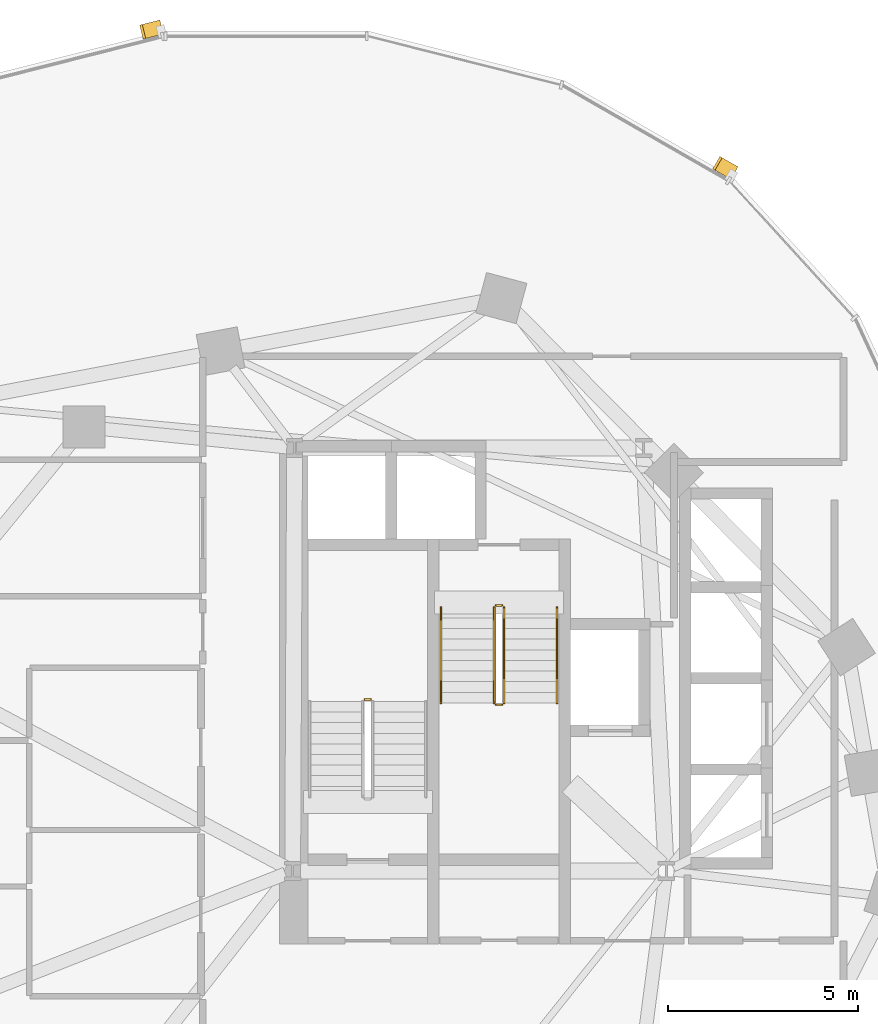
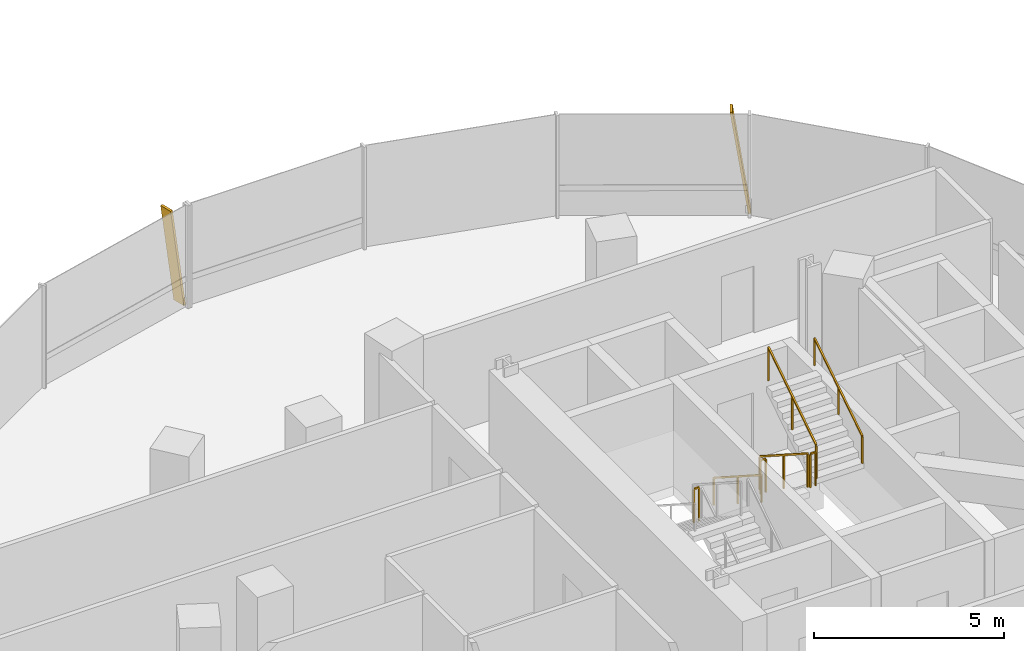
# One storey, part 19 of 21: 7 railings, 2 shading devices.
"""IFC4 building model written with IfcOpenShell, lengths in metres."""

from ifc_helpers import new_model, si_unit, direction, frame, origin, origin_2d, place, context, subcontext, project, spatial, rectangle, extrude, material, material_profile, profile_set, type_object, element, save


model = new_model("IFC4")

# Units and contexts
model_context = context("Model", 3, precision=1e-05, world=origin(), true_north=direction((0.0, 1.0)))
body_context = subcontext(model_context, "Body", "Model", "MODEL_VIEW")
ifc_project = project(units=[si_unit("LENGTHUNIT", "METRE"), si_unit("AREAUNIT", "SQUARE_METRE"), si_unit("VOLUMEUNIT", "CUBIC_METRE"), si_unit("PLANEANGLEUNIT", "RADIAN"), si_unit("MASSUNIT", "GRAM", prefix="KILO"), si_unit("THERMODYNAMICTEMPERATUREUNIT", "KELVIN"), si_unit("POWERUNIT", "WATT")], contexts=[model_context])

# Site, building, storey
site_placement = place(None, origin())
site = spatial("IfcSite", under=ifc_project, at=site_placement, CompositionType="ELEMENT")
building_placement = place(site_placement, origin())
building = spatial("IfcBuilding", under=site, at=building_placement, Name="Cundina Bronze Exchange", CompositionType="ELEMENT")
storey_placement = place(building_placement, frame((0.0, 0.0, 89.0)))
storey = spatial("IfcBuildingStorey", under=building, at=storey_placement, Name="L22", CompositionType="ELEMENT", Elevation=89.0)

# Railings
ifc_material_1 = material(Name="Steel ASTM A36 Painted", Category="steel")
railing_type_1 = type_object("IfcRailingType", Name="RLG-HND-900", PredefinedType="HANDRAIL", material=ifc_material_1)
railing_1_placement = place(storey_placement, frame((-27.389892578125, 10.85009765625, 0.179931640625)))
element("IfcRailing", 1, at=railing_1_placement, inside=storey, type_object=railing_type_1, Name="L22 ST-W2 stair handrail 1", PredefinedType="HANDRAIL", context=body_context, shape_type="SweptSolid", body=[
    extrude(rectangle(XDim=0.048095703125, YDim=0.048095703125, at=origin_2d()), frame((0.0, 0.0, 0.8759765625), z_axis=(0.0, -0.841162588446, 0.540782303519), x_axis=(1.0, 0.0, 0.0)), (0.0, 0.0, 1.0), 2.995849609375),
    extrude(rectangle(XDim=0.0419921875, YDim=0.0419921875, at=origin_2d()), origin(), (0.0, 0.0, 1.0), 0.851806640625),
    extrude(rectangle(XDim=0.0419921875, YDim=0.0419921875, at=origin_2d()), frame((0.0, -1.260009765625, 0.81005859375)), (0.0, 0.0, 1.0), 0.851806640625),
    extrude(rectangle(XDim=0.0419921875, YDim=0.0419921875, at=origin_2d()), frame((0.0, -2.52001953125, 1.6201171875)), (0.0, 0.0, 1.0), 0.851806640625),
])
railing_2_placement = place(storey_placement, frame((-24.330078125, 8.330078125, 1.97998046875)))
element("IfcRailing", 2, at=railing_2_placement, inside=storey, type_object=railing_type_1, Name="L22 ST-W2 stair handrail 2", PredefinedType="HANDRAIL", context=body_context, shape_type="SweptSolid", body=[
    extrude(rectangle(XDim=0.048095703125, YDim=0.048095703125, at=origin_2d()), frame((0.0, 0.0, 0.8759765625), z_axis=(0.0, 0.841162588446, 0.540782303519), x_axis=(-1.0, 0.0, 0.0)), (0.0, 0.0, 1.0), 2.995849609375),
    extrude(rectangle(XDim=0.0419921875, YDim=0.0419921875, at=origin_2d()), origin(), (0.0, 0.0, 1.0), 0.851806640625),
    extrude(rectangle(XDim=0.0419921875, YDim=0.0419921875, at=origin_2d()), frame((0.0, 1.260009765625, 0.81005859375)), (0.0, 0.0, 1.0), 0.851806640625),
    extrude(rectangle(XDim=0.0419921875, YDim=0.0419921875, at=origin_2d()), frame((0.0, 2.52001953125, 1.6201171875)), (0.0, 0.0, 1.0), 0.851806640625),
])
railing_type_2 = type_object("IfcRailingType", Name="RLG-STG-1100", PredefinedType="GUARDRAIL", material=ifc_material_1)
railing_3_placement = place(storey_placement, frame((-29.239990234375, 8.419921875, 1.800048828125)))
element("IfcRailing", 3, at=railing_3_placement, inside=storey, type_object=railing_type_2, Name="L22 ST-W1 stair guard 2", PredefinedType="GUARDRAIL", context=body_context, shape_type="SweptSolid", body=[
    extrude(rectangle(XDim=0.048095703125, YDim=0.048095703125, at=origin_2d()), frame((0.0, 0.0, 1.076171875), z_axis=(-1.0, 0.0, 0.0), x_axis=(0.0, -1.0, 0.0)), (0.0, 0.0, 1.0), 0.159912109375),
    extrude(rectangle(XDim=0.0419921875, YDim=0.0419921875, at=origin_2d()), origin(), (0.0, 0.0, 1.0), 1.052001953125),
    extrude(rectangle(XDim=0.0419921875, YDim=0.0419921875, at=origin_2d()), frame((-0.159912109375, 0.0, 0.0)), (0.0, 0.0, 1.0), 1.052001953125),
])
railing_4_placement = place(storey_placement, frame((-25.989990234375, 10.85009765625, 0.179931640625)))
element("IfcRailing", 4, at=railing_4_placement, inside=storey, type_object=railing_type_2, Name="L22 ST-W2 stair guard 1", PredefinedType="GUARDRAIL", context=body_context, shape_type="SweptSolid", body=[
    extrude(rectangle(XDim=0.048095703125, YDim=0.048095703125, at=origin_2d()), frame((0.0, 0.0, 1.076171875), z_axis=(0.0, -0.841162588446, 0.540782303519), x_axis=(1.0, 0.0, 0.0)), (0.0, 0.0, 1.0), 2.995849609375),
    extrude(rectangle(XDim=0.0419921875, YDim=0.0419921875, at=origin_2d()), origin(), (0.0, 0.0, 1.0), 1.052001953125),
    extrude(rectangle(XDim=0.0419921875, YDim=0.0419921875, at=origin_2d()), frame((0.0, -1.260009765625, 0.81005859375)), (0.0, 0.0, 1.0), 1.052001953125),
    extrude(rectangle(XDim=0.0419921875, YDim=0.0419921875, at=origin_2d()), frame((0.0, -2.52001953125, 1.6201171875)), (0.0, 0.0, 1.0), 1.052001953125),
])
railing_5_placement = place(storey_placement, frame((-25.93994140625, 8.280029296875, 1.800048828125)))
element("IfcRailing", 5, at=railing_5_placement, inside=storey, type_object=railing_type_2, Name="L22 ST-W2 stair guard 2", PredefinedType="GUARDRAIL", context=body_context, shape_type="SweptSolid", body=[
    extrude(rectangle(XDim=0.048095703125, YDim=0.048095703125, at=origin_2d()), frame((0.0, 0.0, 1.076171875), z_axis=(1.0, 0.0, 0.0), x_axis=(0.0, 1.0, 0.0)), (0.0, 0.0, 1.0), 0.159912109375),
    extrude(rectangle(XDim=0.0419921875, YDim=0.0419921875, at=origin_2d()), origin(), (0.0, 0.0, 1.0), 1.052001953125),
    extrude(rectangle(XDim=0.0419921875, YDim=0.0419921875, at=origin_2d()), frame((0.159912109375, 0.0, 0.0)), (0.0, 0.0, 1.0), 1.052001953125),
])
railing_6_placement = place(storey_placement, frame((-25.72998046875, 8.330078125, 1.97998046875)))
element("IfcRailing", 6, at=railing_6_placement, inside=storey, type_object=railing_type_2, Name="L22 ST-W2 stair guard 3", PredefinedType="GUARDRAIL", context=body_context, shape_type="SweptSolid", body=[
    extrude(rectangle(XDim=0.048095703125, YDim=0.048095703125, at=origin_2d()), frame((0.0, 0.0, 1.076171875), z_axis=(0.0, 0.841162588446, 0.540782303519), x_axis=(-1.0, 0.0, 0.0)), (0.0, 0.0, 1.0), 2.995849609375),
    extrude(rectangle(XDim=0.0419921875, YDim=0.0419921875, at=origin_2d()), origin(), (0.0, 0.0, 1.0), 1.052001953125),
    extrude(rectangle(XDim=0.0419921875, YDim=0.0419921875, at=origin_2d()), frame((0.0, 1.260009765625, 0.81005859375)), (0.0, 0.0, 1.0), 1.052001953125),
    extrude(rectangle(XDim=0.0419921875, YDim=0.0419921875, at=origin_2d()), frame((0.0, 2.52001953125, 1.6201171875)), (0.0, 0.0, 1.0), 1.052001953125),
])
railing_7_placement = place(storey_placement, frame((-25.93994140625, 10.89990234375, 0.0)))
element("IfcRailing", 7, at=railing_7_placement, inside=storey, type_object=railing_type_2, Name="L22 ST-W2 stair guard 4", PredefinedType="GUARDRAIL", context=body_context, shape_type="SweptSolid", body=[
    extrude(rectangle(XDim=0.048095703125, YDim=0.048095703125, at=origin_2d()), frame((0.0, 0.0, 1.076171875), z_axis=(1.0, 0.0, 0.0), x_axis=(0.0, 1.0, 0.0)), (0.0, 0.0, 1.0), 0.159912109375),
    extrude(rectangle(XDim=0.0419921875, YDim=0.0419921875, at=origin_2d()), origin(), (0.0, 0.0, 1.0), 1.052001953125),
    extrude(rectangle(XDim=0.0419921875, YDim=0.0419921875, at=origin_2d()), frame((0.159912109375, 0.0, 0.0)), (0.0, 0.0, 1.0), 1.052001953125),
])

# Shading devices
ifc_material_2 = material(Name="Anodised Bronze Aluminium 6063-T6", Category="aluminium")
ifc_material_profile = material_profile(ifc_material_2, rectangle(XDim=0.070068359375, YDim=0.3798828125, at=origin_2d()), Name="FIN70X380", Category="aluminium")
ifc_profile_set = profile_set([ifc_material_profile], Name="Anodised Bronze Aluminium 6063-T6")
shading_device_type = type_object("IfcShadingDeviceType", Name="SHD-FIN-BRZ380", PredefinedType="USERDEFINED", material=ifc_profile_set)
for number, where, z_axis, x_axis, name in (
    (8, (-19.685791015625, 22.314208984375, 0.02001953125), (-0.126324692219, 0.072534823274, 0.989333498649), (0.857958278167, -0.492634108109, 0.145668213594), "L22 Diagonal Bronze Solar Fin 5"),
    (9, (-34.787353515625, 26.138427734375, 0.02001953125), (-0.141217047268, -0.035711761166, 0.989334329575), (0.95914051701, 0.242552848478, 0.145662570088), "L22 Diagonal Bronze Solar Fin 1"),
):
    element("IfcShadingDevice", number, at=place(storey_placement, frame(where, z_axis=z_axis, x_axis=x_axis)), inside=storey, type_object=shading_device_type, Name=name, ObjectType="FIN", PredefinedType="USERDEFINED", context=body_context, shape_type="SweptSolid", body=[
        extrude(rectangle(XDim=0.070068359375, YDim=0.3798828125, at=origin_2d()), origin(), (0.0, 0.0, 1.0), 3.295166015625),
    ])

save(model, "model.ifc")
